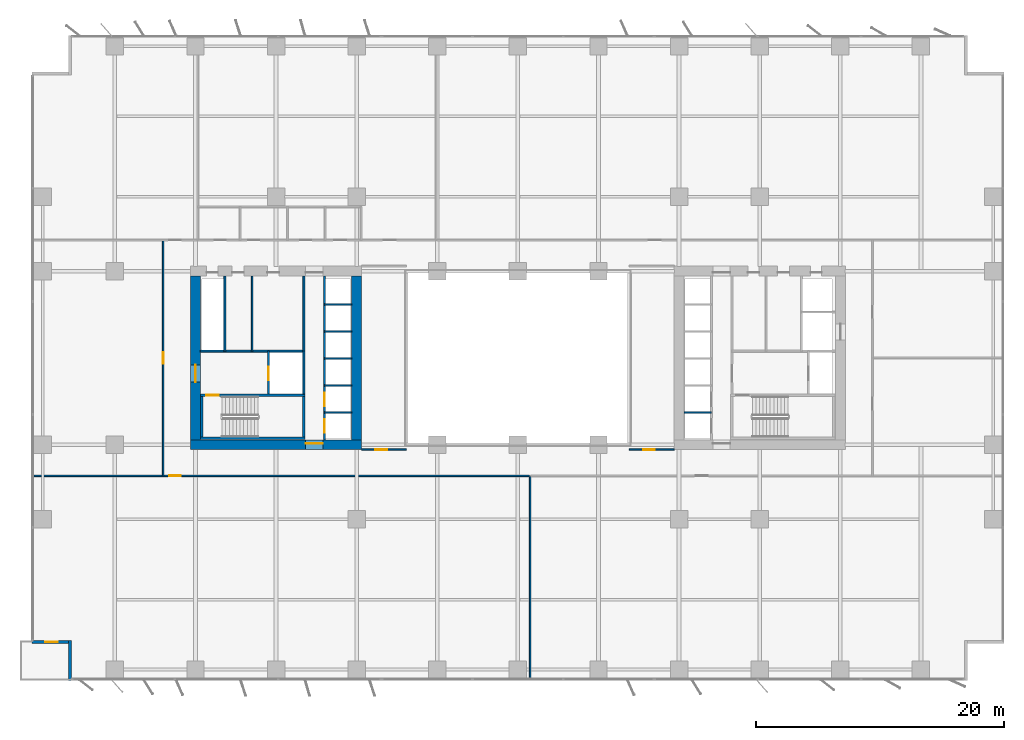
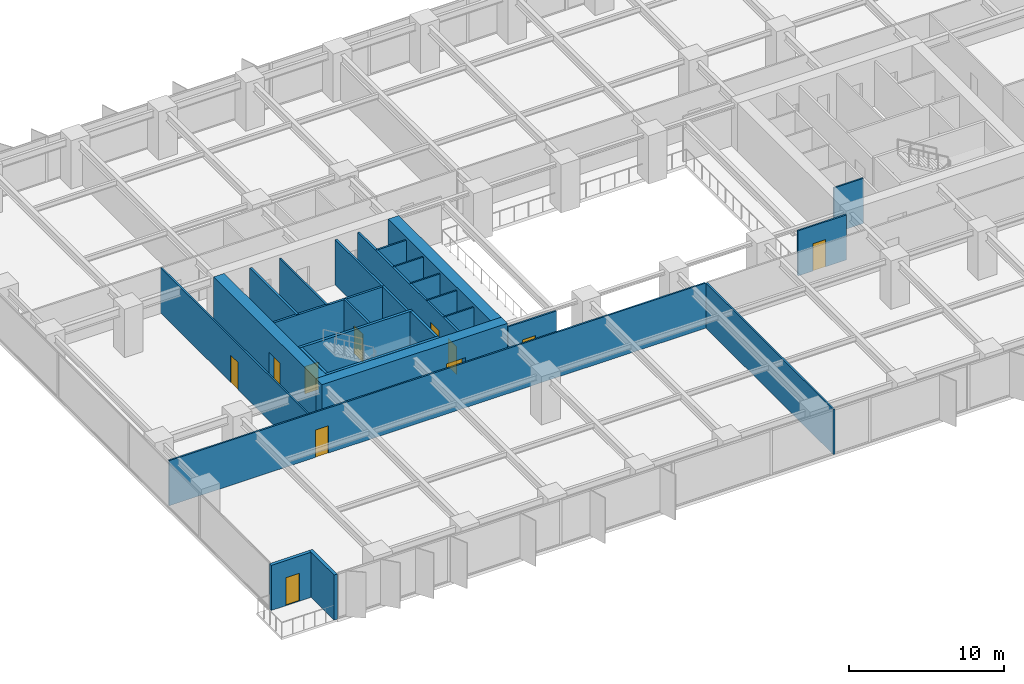
# One storey, part 13 of 20: 27 walls, 11 doors, 11 openings.
"""IFC4 building model written with IfcOpenShell, lengths in metres."""

from ifc_helpers import new_model, si_unit, direction, frame, frame_2d, origin, place, context, subcontext, project, spatial, rectangle, extrude, material, layer, layer_set, type_object, element, fill, save


model = new_model("IFC4")

# Units and contexts
model_context = context("Model", 3, precision=1e-05, world=origin(), true_north=direction((0.0, 1.0)))
body_context = subcontext(model_context, "Body", "Model", "MODEL_VIEW")
ifc_project = project(units=[si_unit("LENGTHUNIT", "METRE"), si_unit("AREAUNIT", "SQUARE_METRE"), si_unit("VOLUMEUNIT", "CUBIC_METRE"), si_unit("PLANEANGLEUNIT", "RADIAN"), si_unit("MASSUNIT", "GRAM", prefix="KILO")], contexts=[model_context])

# Site, building, storey
site_placement = place(None, origin())
site = spatial("IfcSite", under=ifc_project, at=site_placement, CompositionType="ELEMENT")
building_placement = place(site_placement, origin())
building = spatial("IfcBuilding", under=site, at=building_placement, Name="Putna Gate Headquarters", CompositionType="ELEMENT")
storey_placement = place(building_placement, frame((0.0, 0.0, 35.39990234375)))
storey = spatial("IfcBuildingStorey", under=building, at=storey_placement, Name="L07", CompositionType="ELEMENT", Elevation=35.39990234375)

# Wall, opening, door
ifc_material_1 = material(Name="Concrete C60/75", Category="concrete")
ifc_layer_1 = layer(ifc_material_1, 0.800048828125)
ifc_layer_set_1 = layer_set([ifc_layer_1], Name="Concrete C60/75")
wall_type_1 = type_object("IfcWallType", Name="WALL-CORE-800", PredefinedType="SHEAR", material=ifc_layer_set_1)
wall_1_placement = place(storey_placement, frame((12.60009765625, 19.0, 0.0), z_axis=(0.0, 0.0, 1.0), x_axis=(1.0, 0.0, 0.0)))
wall_1 = element("IfcWall", 1, at=wall_1_placement, inside=storey, type_object=wall_type_1, Name="L07 WC Split Core Shear Wall S", PredefinedType="SHEAR", context=body_context, shape_type="SweptSolid", body=[
    extrude(rectangle(XDim=13.7998046875, YDim=0.800048828125, at=frame_2d((6.89990234375, 0.0))), origin(), (0.0, 0.0, 1.0), 3.800048828125),
])
opening_1_placement = place(wall_1_placement, frame((9.280029296875, 0.0, 0.0)))
opening_1 = element("IfcOpeningElement", 2, at=opening_1_placement, cuts=wall_1, Name="Opening FDD-140", PredefinedType="OPENING", context=body_context, shape_type="SweptSolid", body=[
    extrude(rectangle(XDim=1.39990234375, YDim=2.199951171875, at=frame_2d((0.699951171875, 1.10009765625))), frame((0.0, 0.409912109375, 0.0), z_axis=(0.0, -1.0, 0.0), x_axis=(1.0, 0.0, 0.0)), (0.0, 0.0, 1.0), 0.820068359375),
])
ifc_material_2 = material(Name="Double steel fire door", Category="steel")
door_type_1 = type_object("IfcDoorType", Name="DOOR-FIRE-DBL-1400", OperationType="DOUBLE_DOOR_SINGLE_SWING", PredefinedType="DOOR", material=ifc_material_2)
door_1_placement = place(opening_1_placement, origin())
door_1 = element("IfcDoor", 3, at=door_1_placement, inside=storey, type_object=door_type_1, Name="L07 West Lift Lobby South Door", OperationType="DOUBLE_DOOR_SINGLE_SWING", OverallHeight=2.199951171875, OverallWidth=1.39990234375, PredefinedType="DOOR", context=body_context, shape_type="SweptSolid", body=[
    extrude(rectangle(XDim=1.39990234375, YDim=2.199951171875, at=frame_2d((0.699951171875, 1.10009765625))), frame((0.0, 0.125, 0.0), z_axis=(0.0, -1.0, 0.0), x_axis=(1.0, 0.0, 0.0)), (0.0, 0.0, 1.0), 0.050048828125),
])
fill(opening_1, door_1)

wall_2_placement = place(storey_placement, frame((13.0, 19.39990234375, 0.0), z_axis=(0.0, 0.0, 1.0), x_axis=(0.0, 1.0, 0.0)))
wall_2 = element("IfcWall", 4, at=wall_2_placement, inside=storey, type_object=wall_type_1, Name="L07 WC Split Core Shear Wall W", PredefinedType="SHEAR", context=body_context, shape_type="SweptSolid", body=[
    extrude(rectangle(XDim=13.2001953125, YDim=0.800048828125, at=frame_2d((6.60009765625, 0.0))), origin(), (0.0, 0.0, 1.0), 3.800048828125),
])
opening_2_placement = place(wall_2_placement, frame((4.64990234375, 0.0, 0.0)))
opening_2 = element("IfcOpeningElement", 5, at=opening_2_placement, cuts=wall_2, Name="Opening FDD-140", PredefinedType="OPENING", context=body_context, shape_type="SweptSolid", body=[
    extrude(rectangle(XDim=1.39990234375, YDim=2.199951171875, at=frame_2d((0.699951171875, 1.10009765625))), frame((0.0, 0.409912109375, 0.0), z_axis=(0.0, -1.0, 0.0), x_axis=(1.0, 0.0, 0.0)), (0.0, 0.0, 1.0), 0.820068359375),
])
door_2_placement = place(opening_2_placement, origin())
door_2 = element("IfcDoor", 6, at=door_2_placement, inside=storey, type_object=door_type_1, Name="L07 West Firefighting Lobby Door", OperationType="DOUBLE_DOOR_SINGLE_SWING", OverallHeight=2.199951171875, OverallWidth=1.39990234375, PredefinedType="DOOR", context=body_context, shape_type="SweptSolid", body=[
    extrude(rectangle(XDim=1.39990234375, YDim=2.199951171875, at=frame_2d((0.699951171875, 1.10009765625))), frame((0.0, 0.02490234375, 0.0), z_axis=(0.0, -1.0, 0.0), x_axis=(1.0, 0.0, 0.0)), (0.0, 0.0, 1.0), 0.050048828125),
])
fill(opening_2, door_2)

# Walls
wall_3_placement = place(storey_placement, frame((26.0, 19.39990234375, 0.0), z_axis=(0.0, 0.0, 1.0), x_axis=(0.0, 1.0, 0.0)))
element("IfcWall", 7, at=wall_3_placement, inside=storey, type_object=wall_type_1, Name="L07 WC Split Core Shear Wall E", PredefinedType="SHEAR", context=body_context, shape_type="SweptSolid", body=[
    extrude(rectangle(XDim=13.2001953125, YDim=0.800048828125, at=frame_2d((6.60009765625, 0.0))), origin(), (0.0, 0.0, 1.0), 3.800048828125),
])
ifc_material_3 = material(Name="Precast concrete C40/50", Category="concrete")
ifc_layer_2 = layer(ifc_material_3, 0.239990234375)
ifc_layer_set_2 = layer_set([ifc_layer_2], Name="Precast concrete C40/50")
wall_type_2 = type_object("IfcWallType", Name="WALL-EXT-TERR-240", PredefinedType="STANDARD", material=ifc_layer_set_2)
wall_4_placement = place(storey_placement, frame((2.8798828125, 0.0, 0.0), z_axis=(0.0, 0.0, 1.0), x_axis=(0.0, 1.0, 0.0)))
element("IfcWall", 8, at=wall_4_placement, inside=storey, type_object=wall_type_2, Name="L07 Corner Notch Return Wall SW-V", PredefinedType="STANDARD", context=body_context, shape_type="SweptSolid", body=[
    extrude(rectangle(XDim=3.199951171875, YDim=0.239990234375, at=frame_2d((1.60009765625, 0.0))), origin(), (0.0, 0.0, 1.0), 3.550048828125),
])

# Wall, opening, door
wall_5_placement = place(storey_placement, frame((3.0, 3.080078125, 0.0), z_axis=(0.0, 0.0, 1.0), x_axis=(-1.0, 0.0, 0.0)))
wall_5 = element("IfcWall", 9, at=wall_5_placement, inside=storey, type_object=wall_type_2, Name="L07 Corner Notch Return Wall SW-H", PredefinedType="STANDARD", context=body_context, shape_type="SweptSolid", body=[
    extrude(rectangle(XDim=3.199951171875, YDim=0.239990234375, at=frame_2d((1.60009765625, 0.0))), origin(), (0.0, 0.0, 1.0), 3.550048828125),
])
opening_3_placement = place(wall_5_placement, frame((1.10009765625, 0.0, 0.0)))
opening_3 = element("IfcOpeningElement", 10, at=opening_3_placement, cuts=wall_5, Name="Opening TRD-1", PredefinedType="OPENING", context=body_context, shape_type="SweptSolid", body=[
    extrude(rectangle(XDim=1.0, YDim=2.199951171875, at=frame_2d((0.5, 1.10009765625))), frame((0.0, 0.1298828125, 0.0), z_axis=(0.0, -1.0, 0.0), x_axis=(1.0, 0.0, 0.0)), (0.0, 0.0, 1.0), 0.260009765625),
])
ifc_material_4 = material(Name="Thermally broken bronze glazed terrace door")
door_type_2 = type_object("IfcDoorType", Name="DOOR-TERR-EXT-1000", OperationType="NOTDEFINED", PredefinedType="DOOR", material=ifc_material_4)
door_3_placement = place(opening_3_placement, origin())
door_3 = element("IfcDoor", 11, at=door_3_placement, inside=storey, type_object=door_type_2, Name="L07 Spiral Sky Terrace Door SW", OperationType="SINGLE_SWING_LEFT", OverallHeight=2.199951171875, OverallWidth=1.0, PredefinedType="DOOR", context=body_context, shape_type="SweptSolid", body=[
    extrude(rectangle(XDim=1.0, YDim=2.199951171875, at=frame_2d((0.5, 1.10009765625))), frame((0.0, 0.02490234375, 0.0), z_axis=(0.0, -1.0, 0.0), x_axis=(1.0, 0.0, 0.0)), (0.0, 0.0, 1.0), 0.050048828125),
])
fill(opening_3, door_3)

ifc_material_5 = material(Name="Acoustic gypsum board on metal stud")
ifc_layer_3 = layer(ifc_material_5, 0.1201171875)
ifc_layer_set_3 = layer_set([ifc_layer_3], Name="Acoustic gypsum board on metal stud")
wall_type_3 = type_object("IfcWallType", Name="WALL-PART-120", PredefinedType="PARTITIONING", material=ifc_layer_set_3)
wall_6_placement = place(storey_placement, frame((26.39990234375, 18.60009765625, 0.0), z_axis=(0.0, 0.0, 1.0), x_axis=(1.0, 0.0, 0.0)))
wall_6 = element("IfcWall", 12, at=wall_6_placement, inside=storey, type_object=wall_type_3, Name="L07 Interior Wall PART-L07-ATR-W-S", PredefinedType="PARTITIONING", context=body_context, shape_type="SweptSolid", body=[
    extrude(rectangle(XDim=3.60009765625, YDim=0.1201171875, at=frame_2d((1.800048828125, 0.0))), origin(), (0.0, 0.0, 1.0), 3.550048828125),
])
opening_4_placement = place(wall_6_placement, frame((1.10009765625, 0.0, 0.0)))
opening_4 = element("IfcOpeningElement", 13, at=opening_4_placement, cuts=wall_6, Name="Opening ID-95", PredefinedType="OPENING", context=body_context, shape_type="SweptSolid", body=[
    extrude(rectangle(XDim=0.949951171875, YDim=2.14990234375, at=frame_2d((0.47509765625, 1.074951171875))), frame((0.0, 0.070068359375, 0.0), z_axis=(0.0, -1.0, 0.0), x_axis=(1.0, 0.0, 0.0)), (0.0, 0.0, 1.0), 0.14013671875),
])
ifc_material_6 = material(Name="Veneered acoustic timber door", Category="wood")
door_type_3 = type_object("IfcDoorType", Name="DOOR-OFF-950", OperationType="NOTDEFINED", PredefinedType="DOOR", material=ifc_material_6)
door_4_placement = place(opening_4_placement, origin())
door_4 = element("IfcDoor", 14, at=door_4_placement, inside=storey, type_object=door_type_3, Name="L07 West Atrium Gallery Lounge Door", OperationType="SINGLE_SWING_LEFT", OverallHeight=2.14990234375, OverallWidth=0.949951171875, PredefinedType="DOOR", context=body_context, shape_type="SweptSolid", body=[
    extrude(rectangle(XDim=0.949951171875, YDim=2.14990234375, at=frame_2d((0.47509765625, 1.074951171875))), frame((0.0, 0.02490234375, 0.0), z_axis=(0.0, -1.0, 0.0), x_axis=(1.0, 0.0, 0.0)), (0.0, 0.0, 1.0), 0.050048828125),
])
fill(opening_4, door_4)

wall_7_placement = place(storey_placement, frame((48.0, 18.60009765625, 0.0), z_axis=(0.0, 0.0, 1.0), x_axis=(1.0, 0.0, 0.0)))
wall_7 = element("IfcWall", 15, at=wall_7_placement, inside=storey, type_object=wall_type_3, Name="L07 Interior Wall PART-L07-ATR-E-S", PredefinedType="PARTITIONING", context=body_context, shape_type="SweptSolid", body=[
    extrude(rectangle(XDim=3.60009765625, YDim=0.1201171875, at=frame_2d((1.800048828125, 0.0))), origin(), (0.0, 0.0, 1.0), 3.550048828125),
])
opening_5_placement = place(wall_7_placement, frame((1.10009765625, 0.0, 0.0)))
opening_5 = element("IfcOpeningElement", 16, at=opening_5_placement, cuts=wall_7, Name="Opening ID-95", PredefinedType="OPENING", context=body_context, shape_type="SweptSolid", body=[
    extrude(rectangle(XDim=0.949951171875, YDim=2.14990234375, at=frame_2d((0.47509765625, 1.074951171875))), frame((0.0, 0.070068359375, 0.0), z_axis=(0.0, -1.0, 0.0), x_axis=(1.0, 0.0, 0.0)), (0.0, 0.0, 1.0), 0.14013671875),
])
door_5_placement = place(opening_5_placement, origin())
door_5 = element("IfcDoor", 17, at=door_5_placement, inside=storey, type_object=door_type_3, Name="L07 East Atrium Gallery Lounge Door", OperationType="SINGLE_SWING_RIGHT", OverallHeight=2.14990234375, OverallWidth=0.949951171875, PredefinedType="DOOR", context=body_context, shape_type="SweptSolid", body=[
    extrude(rectangle(XDim=0.949951171875, YDim=2.14990234375, at=frame_2d((0.47509765625, 1.074951171875))), frame((0.0, 0.02490234375, 0.0), z_axis=(0.0, -1.0, 0.0), x_axis=(1.0, 0.0, 0.0)), (0.0, 0.0, 1.0), 0.050048828125),
])
fill(opening_5, door_5)

# Walls
wall_8_placement = place(storey_placement, frame((39.9833984375, 0.02001953125, 0.0), z_axis=(0.0, 0.0, 1.0), x_axis=(0.0, 1.0, 0.0)))
element("IfcWall", 18, at=wall_8_placement, inside=storey, type_object=wall_type_3, Name="L07 Interior Wall PART-L07-SB-DIV-01", PredefinedType="PARTITIONING", context=body_context, shape_type="SweptSolid", body=[
    extrude(rectangle(XDim=16.419921875, YDim=0.1201171875, at=frame_2d((8.2099609375, 0.0))), origin(), (0.0, 0.0, 1.0), 3.550048828125),
])
ifc_material_7 = material(Name="Fire-rated shaftwall gypsum board on metal stud")
ifc_layer_4 = layer(ifc_material_7, 0.1201171875)
ifc_layer_set_4 = layer_set([ifc_layer_4], Name="Fire-rated shaftwall gypsum board on metal stud")
wall_type_4 = type_object("IfcWallType", Name="WALL-PART-120-EI120", PredefinedType="PARTITIONING", material=ifc_layer_set_4)
for number, where, z_axis, x_axis, name in (
    (19, (23.39990234375, 21.610107421875, 0.0), (0.0, 0.0, 1.0), (1.0, 0.0, 0.0), "L07 Interior Wall CWINT-L07-WC-LF01-DIV"),
    (20, (23.39990234375, 23.780029296875, 0.0), (0.0, 0.0, 1.0), (1.0, 0.0, 0.0), "L07 Interior Wall CWINT-L07-WC-LF02-DIV"),
    (21, (23.39990234375, 25.949951171875, 0.0), (0.0, 0.0, 1.0), (1.0, 0.0, 0.0), "L07 Interior Wall CWINT-L07-WC-LF05-DIV"),
    (22, (23.39990234375, 28.1201171875, 0.0), (0.0, 0.0, 1.0), (1.0, 0.0, 0.0), "L07 Interior Wall CWINT-L07-WC-LF06-DIV"),
    (23, (23.39990234375, 30.31005859375, 0.0), (0.0, 0.0, 1.0), (1.0, 0.0, 0.0), "L07 Interior Wall CWINT-L07-WC-LF09-DIV"),
    (24, (52.39990234375, 21.610107421875, 0.0), (0.0, 0.0, 1.0), (1.0, 0.0, 0.0), "L07 Interior Wall CWINT-L07-EC-LF03-DIV"),
):
    element("IfcWall", number, at=place(storey_placement, frame(where, z_axis=z_axis, x_axis=x_axis)), inside=storey, type_object=wall_type_4, Name=name, PredefinedType="PARTITIONING", context=body_context, shape_type="SweptSolid", body=[
        extrude(rectangle(XDim=2.2001953125, YDim=0.1201171875, at=frame_2d((1.10009765625, 0.0))), origin(), (0.0, 0.0, 1.0), 3.550048828125),
    ])
ifc_material_8 = material(Name="Fire-rated gypsum board on metal stud")
ifc_layer_5 = layer(ifc_material_8, 0.1201171875)
ifc_layer_set_5 = layer_set([ifc_layer_5], Name="Fire-rated gypsum board on metal stud")
wall_type_5 = type_object("IfcWallType", Name="WALL-PART-120-RATED", PredefinedType="PARTITIONING", material=ifc_layer_set_5)
wall_9_placement = place(storey_placement, frame((17.570068359375, 26.56005859375, 0.0), z_axis=(0.0, 0.0, 1.0), x_axis=(0.0, 1.0, 0.0)))
element("IfcWall", 25, at=wall_9_placement, inside=storey, type_object=wall_type_5, Name="L07 Interior Wall CWINT-L07-WC-K1-DIV", PredefinedType="PARTITIONING", context=body_context, shape_type="SweptSolid", body=[
    extrude(rectangle(XDim=6.0400390625, YDim=0.1201171875, at=frame_2d((3.02001953125, 0.0))), origin(), (0.0, 0.0, 1.0), 3.550048828125),
])

# Wall, opening, door
wall_10_placement = place(storey_placement, frame((-0.02001953125, 16.5, 0.0), z_axis=(0.0, 0.0, 1.0), x_axis=(1.0, 0.0, 0.0)))
wall_10 = element("IfcWall", 26, at=wall_10_placement, inside=storey, type_object=wall_type_5, Name="L07 Interior Wall PART-L07-SB-CW-01", PredefinedType="PARTITIONING", context=body_context, shape_type="SweptSolid", body=[
    extrude(rectangle(XDim=39.943359375, YDim=0.1201171875, at=frame_2d((19.9716796875, 0.0))), origin(), (0.0, 0.0, 1.0), 3.550048828125),
])
opening_6_placement = place(wall_10_placement, frame((10.89990234375, 0.0, 0.0)))
opening_6 = element("IfcOpeningElement", 27, at=opening_6_placement, cuts=wall_10, Name="Opening FD-95", PredefinedType="OPENING", context=body_context, shape_type="SweptSolid", body=[
    extrude(rectangle(XDim=0.949951171875, YDim=2.14990234375, at=frame_2d((0.47509765625, 1.074951171875))), frame((0.0, 0.070068359375, 0.0), z_axis=(0.0, -1.0, 0.0), x_axis=(1.0, 0.0, 0.0)), (0.0, 0.0, 1.0), 0.14013671875),
])
ifc_material_9 = material(Name="Acoustic timber fire door", Category="wood")
door_type_4 = type_object("IfcDoorType", Name="DOOR-FIRE-950", OperationType="NOTDEFINED", PredefinedType="DOOR", material=ifc_material_9)
door_6_placement = place(opening_6_placement, origin())
door_6 = element("IfcDoor", 28, at=door_6_placement, inside=storey, type_object=door_type_4, Name="L07 Quiet Wellness Focus Studio 1 Door", OperationType="SINGLE_SWING_RIGHT", OverallHeight=2.14990234375, OverallWidth=0.949951171875, PredefinedType="DOOR", context=body_context, shape_type="SweptSolid", body=[
    extrude(rectangle(XDim=0.949951171875, YDim=2.14990234375, at=frame_2d((0.47509765625, 1.074951171875))), frame((0.0, 0.02490234375, 0.0), z_axis=(0.0, -1.0, 0.0), x_axis=(1.0, 0.0, 0.0)), (0.0, 0.0, 1.0), 0.050048828125),
])
fill(opening_6, door_6)

wall_11_placement = place(storey_placement, frame((10.39990234375, 16.5, 0.0), z_axis=(0.0, 0.0, 1.0), x_axis=(0.0, 1.0, 0.0)))
wall_11 = element("IfcWall", 29, at=wall_11_placement, inside=storey, type_object=wall_type_5, Name="L07 Interior Wall PART-L07-WW-CW-1", PredefinedType="PARTITIONING", context=body_context, shape_type="SweptSolid", body=[
    extrude(rectangle(XDim=19.0, YDim=0.1201171875, at=frame_2d((9.5, 0.0))), origin(), (0.0, 0.0, 1.0), 3.550048828125),
])
opening_7_placement = place(wall_11_placement, frame((9.02490234375, 0.0, 0.0)))
opening_7 = element("IfcOpeningElement", 30, at=opening_7_placement, cuts=wall_11, Name="Opening FD-95", PredefinedType="OPENING", context=body_context, shape_type="SweptSolid", body=[
    extrude(rectangle(XDim=0.949951171875, YDim=2.14990234375, at=frame_2d((0.47509765625, 1.074951171875))), frame((0.0, 0.070068359375, 0.0), z_axis=(0.0, -1.0, 0.0), x_axis=(1.0, 0.0, 0.0)), (0.0, 0.0, 1.0), 0.14013671875),
])
door_7_placement = place(opening_7_placement, origin())
door_7 = element("IfcDoor", 31, at=door_7_placement, inside=storey, type_object=door_type_4, Name="L07 West Project Meeting Room 1 Door", OperationType="SINGLE_SWING_RIGHT", OverallHeight=2.14990234375, OverallWidth=0.949951171875, PredefinedType="DOOR", context=body_context, shape_type="SweptSolid", body=[
    extrude(rectangle(XDim=0.949951171875, YDim=2.14990234375, at=frame_2d((0.47509765625, 1.074951171875))), frame((0.0, 0.02490234375, 0.0), z_axis=(0.0, -1.0, 0.0), x_axis=(1.0, 0.0, 0.0)), (0.0, 0.0, 1.0), 0.050048828125),
])
fill(opening_7, door_7)

# Wall
ifc_material_10 = material(Name="Concrete C40/50", Category="concrete")
ifc_layer_6 = layer(ifc_material_10, 0.159912109375)
ifc_layer_set_6 = layer_set([ifc_layer_6], Name="Concrete C40/50")
wall_type_6 = type_object("IfcWallType", Name="WALL-SHAFT-160", PredefinedType="STANDARD", material=ifc_layer_set_6)
wall_12_placement = place(storey_placement, frame((21.739990234375, 23.090087890625, 0.0), z_axis=(0.0, 0.0, 1.0), x_axis=(0.0, 1.0, 0.0)))
element("IfcWall", 32, at=wall_12_placement, inside=storey, type_object=wall_type_6, Name="L07 Interior Wall CWINT-L07-WC-FFL-E", PredefinedType="STANDARD", context=body_context, shape_type="SweptSolid", body=[
    extrude(rectangle(XDim=3.469970703125, YDim=0.159912109375, at=frame_2d((1.73486328125, 0.0))), origin(), (0.0, 0.0, 1.0), 3.550048828125),
])

# Wall, opening, door
wall_13_placement = place(storey_placement, frame((18.8798828125, 23.090087890625, 0.0), z_axis=(0.0, 0.0, 1.0), x_axis=(0.0, 1.0, 0.0)))
wall_13 = element("IfcWall", 33, at=wall_13_placement, inside=storey, type_object=wall_type_6, Name="L07 Interior Wall CWINT-L07-WC-LF13-W", PredefinedType="STANDARD", context=body_context, shape_type="SweptSolid", body=[
    extrude(rectangle(XDim=3.469970703125, YDim=0.159912109375, at=frame_2d((1.73486328125, 0.0))), origin(), (0.0, 0.0, 1.0), 3.550048828125),
])
opening_8_placement = place(wall_13_placement, frame((1.10009765625, 0.0, 0.0)))
opening_8 = element("IfcOpeningElement", 34, at=opening_8_placement, cuts=wall_13, Name="Opening LD-1", PredefinedType="OPENING", context=body_context, shape_type="SweptSolid", body=[
    extrude(rectangle(XDim=1.10009765625, YDim=2.199951171875, at=frame_2d((0.550048828125, 1.10009765625))), frame((0.0, 0.08984375, 0.0), z_axis=(0.0, -1.0, 0.0), x_axis=(1.0, 0.0, 0.0)), (0.0, 0.0, 1.0), 0.179931640625),
])
ifc_material_11 = material(Name="Brushed bronze stainless lift landing door")
door_type_5 = type_object("IfcDoorType", Name="DOOR-LIFT-1100", OperationType="DOUBLE_DOOR_SLIDING", PredefinedType="DOOR", material=ifc_material_11)
door_8_placement = place(opening_8_placement, origin())
door_8 = element("IfcDoor", 35, at=door_8_placement, inside=storey, type_object=door_type_5, Name="L07 Lift Landing Door LD-13", OperationType="DOUBLE_DOOR_SLIDING", OverallHeight=2.199951171875, OverallWidth=1.10009765625, PredefinedType="DOOR", context=body_context, shape_type="SweptSolid", body=[
    extrude(rectangle(XDim=1.10009765625, YDim=2.199951171875, at=frame_2d((0.550048828125, 1.10009765625))), frame((0.0, 0.02490234375, 0.0), z_axis=(0.0, -1.0, 0.0), x_axis=(1.0, 0.0, 0.0)), (0.0, 0.0, 1.0), 0.050048828125),
])
fill(opening_8, door_8)

# Walls
wall_14_placement = place(storey_placement, frame((13.39990234375, 26.56005859375, 0.0), z_axis=(0.0, 0.0, 1.0), x_axis=(1.0, 0.0, 0.0)))
element("IfcWall", 36, at=wall_14_placement, inside=storey, type_object=wall_type_6, Name="L07 Interior Wall CWINT-L07-WC-FFL-N", PredefinedType="STANDARD", context=body_context, shape_type="SweptSolid", body=[
    extrude(rectangle(XDim=8.340087890625, YDim=0.159912109375, at=frame_2d((4.169921875, 0.0))), origin(), (0.0, 0.0, 1.0), 3.550048828125),
])
for number, where, z_axis, x_axis, name in (
    (37, (15.3798828125, 26.56005859375, 0.0), (0.0, 0.0, 1.0), (0.0, 1.0, 0.0), "L07 Interior Wall CWINT-L07-WC-RISER-E"),
    (38, (21.739990234375, 26.56005859375, 0.0), (0.0, 0.0, 1.0), (0.0, 1.0, 0.0), "L07 Interior Wall CWINT-L07-WC-LOB-W"),
):
    element("IfcWall", number, at=place(storey_placement, frame(where, z_axis=z_axis, x_axis=x_axis)), inside=storey, type_object=wall_type_6, Name=name, PredefinedType="STANDARD", context=body_context, shape_type="SweptSolid", body=[
        extrude(rectangle(XDim=6.0400390625, YDim=0.159912109375, at=frame_2d((3.02001953125, 0.0))), origin(), (0.0, 0.0, 1.0), 3.550048828125),
    ])

# Wall, openings, doors
wall_15_placement = place(storey_placement, frame((23.39990234375, 19.39990234375, 0.0), z_axis=(0.0, 0.0, 1.0), x_axis=(0.0, 1.0, 0.0)))
wall_15 = element("IfcWall", 39, at=wall_15_placement, inside=storey, type_object=wall_type_6, Name="L07 Interior Wall CWINT-L07-WC-PL-WALL", PredefinedType="STANDARD", context=body_context, shape_type="SweptSolid", body=[
    extrude(rectangle(XDim=13.2001953125, YDim=0.159912109375, at=frame_2d((6.60009765625, 0.0))), origin(), (0.0, 0.0, 1.0), 3.550048828125),
])
opening_9_placement = place(wall_15_placement, frame((0.550048828125, 0.0, 0.0)))
opening_9 = element("IfcOpeningElement", 40, at=opening_9_placement, cuts=wall_15, Name="Opening LD-1", PredefinedType="OPENING", context=body_context, shape_type="SweptSolid", body=[
    extrude(rectangle(XDim=1.10009765625, YDim=2.199951171875, at=frame_2d((0.550048828125, 1.10009765625))), frame((0.0, 0.08984375, 0.0), z_axis=(0.0, -1.0, 0.0), x_axis=(1.0, 0.0, 0.0)), (0.0, 0.0, 1.0), 0.179931640625),
])
opening_10_placement = place(wall_15_placement, frame((2.699951171875, 0.0, 0.0)))
opening_10 = element("IfcOpeningElement", 41, at=opening_10_placement, cuts=wall_15, Name="Opening LD-1", PredefinedType="OPENING", context=body_context, shape_type="SweptSolid", body=[
    extrude(rectangle(XDim=1.10009765625, YDim=2.199951171875, at=frame_2d((0.550048828125, 1.10009765625))), frame((0.0, 0.08984375, 0.0), z_axis=(0.0, -1.0, 0.0), x_axis=(1.0, 0.0, 0.0)), (0.0, 0.0, 1.0), 0.179931640625),
])
door_9_placement = place(opening_9_placement, origin())
door_9 = element("IfcDoor", 42, at=door_9_placement, inside=storey, type_object=door_type_5, Name="L07 Lift Landing Door LD-01", OperationType="DOUBLE_DOOR_SLIDING", OverallHeight=2.199951171875, OverallWidth=1.10009765625, PredefinedType="DOOR", context=body_context, shape_type="SweptSolid", body=[
    extrude(rectangle(XDim=1.10009765625, YDim=2.199951171875, at=frame_2d((0.550048828125, 1.10009765625))), frame((0.0, 0.02490234375, 0.0), z_axis=(0.0, -1.0, 0.0), x_axis=(1.0, 0.0, 0.0)), (0.0, 0.0, 1.0), 0.050048828125),
])
fill(opening_9, door_9)
door_10_placement = place(opening_10_placement, origin())
door_10 = element("IfcDoor", 43, at=door_10_placement, inside=storey, type_object=door_type_5, Name="L07 Lift Landing Door LD-02", OperationType="DOUBLE_DOOR_SLIDING", OverallHeight=2.199951171875, OverallWidth=1.10009765625, PredefinedType="DOOR", context=body_context, shape_type="SweptSolid", body=[
    extrude(rectangle(XDim=1.10009765625, YDim=2.199951171875, at=frame_2d((0.550048828125, 1.10009765625))), frame((0.0, 0.02490234375, 0.0), z_axis=(0.0, -1.0, 0.0), x_axis=(1.0, 0.0, 0.0)), (0.0, 0.0, 1.0), 0.050048828125),
])
fill(opening_10, door_10)

# Wall
ifc_layer_7 = layer(ifc_material_10, 0.199951171875)
ifc_layer_set_7 = layer_set([ifc_layer_7], Name="Concrete C40/50")
wall_type_7 = type_object("IfcWallType", Name="WALL-SHAFT-RC200", PredefinedType="SHEAR", material=ifc_layer_set_7)
wall_16_placement = place(storey_placement, frame((13.409912109375, 19.510009765625, 0.0), z_axis=(0.0, 0.0, 1.0), x_axis=(1.0, 0.0, 0.0)))
element("IfcWall", 44, at=wall_16_placement, inside=storey, type_object=wall_type_7, Name="L07 Stair ST1 Structural Shaft Wall S", PredefinedType="SHEAR", context=body_context, shape_type="SweptSolid", body=[
    extrude(rectangle(XDim=8.43017578125, YDim=0.199951171875, at=frame_2d((4.215087890625, 0.0))), origin(), (0.0, 0.0, 1.0), 3.800048828125),
])

# Wall, opening, door
wall_17_placement = place(storey_placement, frame((13.409912109375, 22.989990234375, 0.0), z_axis=(0.0, 0.0, 1.0), x_axis=(1.0, 0.0, 0.0)))
wall_17 = element("IfcWall", 45, at=wall_17_placement, inside=storey, type_object=wall_type_7, Name="L07 Stair ST1 Structural Shaft Wall N", PredefinedType="SHEAR", context=body_context, shape_type="SweptSolid", body=[
    extrude(rectangle(XDim=8.43017578125, YDim=0.199951171875, at=frame_2d((4.215087890625, 0.0))), origin(), (0.0, 0.0, 1.0), 3.800048828125),
])
opening_11_placement = place(wall_17_placement, frame((0.449951171875, 0.0, 0.0)))
opening_11 = element("IfcOpeningElement", 46, at=opening_11_placement, cuts=wall_17, Name="Opening FD-100", PredefinedType="OPENING", context=body_context, shape_type="SweptSolid", body=[
    extrude(rectangle(XDim=1.0, YDim=2.14990234375, at=frame_2d((0.5, 1.074951171875))), frame((0.0, 0.10986328125, 0.0), z_axis=(0.0, -1.0, 0.0), x_axis=(1.0, 0.0, 0.0)), (0.0, 0.0, 1.0), 0.219970703125),
])
ifc_material_12 = material(Name="Powder-coated steel fire door", Category="steel")
door_type_6 = type_object("IfcDoorType", Name="DOOR-FIRE-1000", OperationType="NOTDEFINED", PredefinedType="DOOR", material=ifc_material_12)
door_11_placement = place(opening_11_placement, origin())
door_11 = element("IfcDoor", 47, at=door_11_placement, inside=storey, type_object=door_type_6, Name="L07 Stair ST1 Fire Door", OperationType="SINGLE_SWING_LEFT", OverallHeight=2.14990234375, OverallWidth=1.0, PredefinedType="DOOR", context=body_context, shape_type="SweptSolid", body=[
    extrude(rectangle(XDim=1.0, YDim=2.14990234375, at=frame_2d((0.5, 1.074951171875))), frame((0.0, 0.02490234375, 0.0), z_axis=(0.0, -1.0, 0.0), x_axis=(1.0, 0.0, 0.0)), (0.0, 0.0, 1.0), 0.050048828125),
])
fill(opening_11, door_11)

# Walls
for number, where, z_axis, x_axis, name in (
    (48, (13.510009765625, 19.610107421875, 0.0), (0.0, 0.0, 1.0), (0.0, 1.0, 0.0), "L07 Stair ST1 Structural Shaft Wall W"),
    (49, (21.739990234375, 19.610107421875, 0.0), (0.0, 0.0, 1.0), (0.0, 1.0, 0.0), "L07 Stair ST1 Structural Shaft Wall E"),
):
    element("IfcWall", number, at=place(storey_placement, frame(where, z_axis=z_axis, x_axis=x_axis)), inside=storey, type_object=wall_type_7, Name=name, PredefinedType="SHEAR", context=body_context, shape_type="SweptSolid", body=[
        extrude(rectangle(XDim=3.27978515625, YDim=0.199951171875, at=frame_2d((1.639892578125, 0.0))), origin(), (0.0, 0.0, 1.0), 3.800048828125),
    ])

save(model, "model.ifc")
